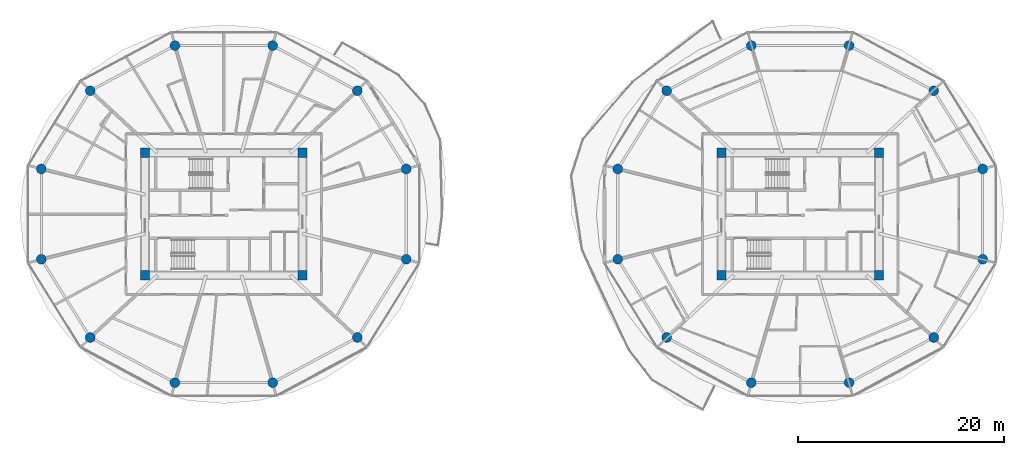
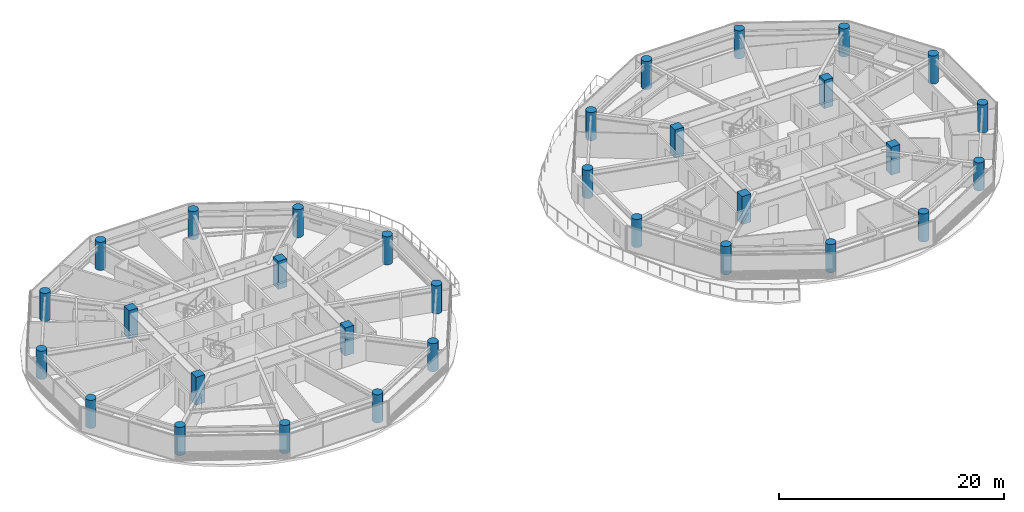
# One storey, part 1 of 26: 32 columns.
"""IFC4 building model written with IfcOpenShell, lengths in metres."""

from ifc_helpers import new_model, si_unit, direction, frame, origin, origin_2d, place, context, subcontext, project, spatial, rectangle, circle, extrude, source, transform, mapped, material, material_profile, profile_set, type_object, type_shapes, element, save


model = new_model("IFC4")

# Units and contexts
model_context = context("Model", 3, precision=1e-05, world=origin(), true_north=direction((0.0, 1.0)))
body_context = subcontext(model_context, "Body", "Model", "MODEL_VIEW")
ifc_project = project(units=[si_unit("LENGTHUNIT", "METRE"), si_unit("AREAUNIT", "SQUARE_METRE"), si_unit("VOLUMEUNIT", "CUBIC_METRE"), si_unit("PLANEANGLEUNIT", "RADIAN"), si_unit("MASSUNIT", "GRAM", prefix="KILO")], contexts=[model_context])

# Site, building, storey
site_placement = place(None, origin())
site = spatial("IfcSite", under=ifc_project, at=site_placement, CompositionType="ELEMENT")
building_placement = place(site_placement, origin())
building = spatial("IfcBuilding", under=site, at=building_placement, Name="Norrkilde Senior Care Towers", CompositionType="ELEMENT")
storey_placement = place(building_placement, frame((0.0, 0.0, 70.39990234375)))
storey = spatial("IfcBuildingStorey", under=building, at=storey_placement, Name="L21", CompositionType="ELEMENT", Elevation=70.39990234375)

# Columns
ifc_material = material(Name="Concrete C60/75", Category="concrete")
ifc_material_profile_1 = material_profile(ifc_material, rectangle(XDim=0.89990234375, YDim=0.89990234375, at=origin_2d()), Name="RC COL 900x900")
ifc_profile_set_1 = profile_set([ifc_material_profile_1], Name="Concrete C60/75")
column_type_1 = type_object("IfcColumnType", Name="Column Core Corner Z1-Z2 900", PredefinedType="COLUMN", material=ifc_profile_set_1)
shared_shape_1 = source(origin(), body_context, "Body", "SweptSolid", [
    extrude(rectangle(XDim=0.89990234375, YDim=0.89990234375, at=origin_2d()), origin(), (0.0, 0.0, 1.0), 3.050048828125),
])
type_shapes(column_type_1, [shared_shape_1])
for number, where, z_axis, x_axis, name in (
    (1, (-35.64990234375, -5.949951171875, 0.0), (0.0, 0.0, 1.0), (1.0, 0.0, 0.0), "L21 Core W Corner Column 1"),
    (2, (-20.35009765625, -5.949951171875, 0.0), (0.0, 0.0, 1.0), (1.0, 0.0, 0.0), "L21 Core W Corner Column 2"),
    (3, (-20.35009765625, 5.949951171875, 0.0), (0.0, 0.0, 1.0), (1.0, 0.0, 0.0), "L21 Core W Corner Column 3"),
    (4, (-35.64990234375, 5.949951171875, 0.0), (0.0, 0.0, 1.0), (1.0, 0.0, 0.0), "L21 Core W Corner Column 4"),
    (5, (20.35009765625, -5.949951171875, 0.0), (0.0, 0.0, 1.0), (1.0, 0.0, 0.0), "L21 Core E Corner Column 1"),
    (6, (35.64990234375, -5.949951171875, 0.0), (0.0, 0.0, 1.0), (1.0, 0.0, 0.0), "L21 Core E Corner Column 2"),
    (7, (35.64990234375, 5.949951171875, 0.0), (0.0, 0.0, 1.0), (1.0, 0.0, 0.0), "L21 Core E Corner Column 3"),
    (8, (20.35009765625, 5.949951171875, 0.0), (0.0, 0.0, 1.0), (1.0, 0.0, 0.0), "L21 Core E Corner Column 4"),
):
    element("IfcColumn", number, at=place(storey_placement, frame(where, z_axis=z_axis, x_axis=x_axis)), inside=storey, type_object=column_type_1, Name=name, PredefinedType="COLUMN", context=body_context, shape_type="MappedRepresentation", body=[
        mapped(shared_shape_1, transform((0.0, 0.0, 0.0), x_axis=(1.0, 0.0, 0.0), y_axis=(0.0, 1.0, 0.0), z_axis=(0.0, 0.0, 1.0), scale=1.0)),
    ])
ifc_material_profile_2 = material_profile(ifc_material, circle(Radius=0.47509765625, at=origin_2d()), Name="RC CIR 950")
ifc_profile_set_2 = profile_set([ifc_material_profile_2], Name="Concrete C60/75")
column_type_2 = type_object("IfcColumnType", Name="Column Perimeter Z1 950", PredefinedType="COLUMN", material=ifc_profile_set_2)
shared_shape_2 = source(origin(), body_context, "Body", "SweptSolid", [
    extrude(circle(Radius=0.47509765625, at=origin_2d()), origin(), (0.0, 0.0, 1.0), 3.050048828125),
])
type_shapes(column_type_2, [shared_shape_2])
for number, where, z_axis, x_axis, name in (
    (9, (-10.275146484375, 4.386962890625, 0.0), (0.0, 0.0, 1.0), (1.0, 0.0, 0.0), "L21 Drum W Perimeter Column 01"),
    (10, (-15.024658203125, 11.9853515625, 0.0), (0.0, 0.0, 1.0), (1.0, 0.0, 0.0), "L21 Drum W Perimeter Column 02"),
    (11, (-23.250732421875, 16.37255859375, 0.0), (0.0, 0.0, 1.0), (1.0, 0.0, 0.0), "L21 Drum W Perimeter Column 03"),
    (12, (-32.749267578125, 16.37255859375, 0.0), (0.0, 0.0, 1.0), (1.0, 0.0, 0.0), "L21 Drum W Perimeter Column 04"),
    (13, (-40.975341796875, 11.9853515625, 0.0), (0.0, 0.0, 1.0), (1.0, 0.0, 0.0), "L21 Drum W Perimeter Column 05"),
    (14, (-45.724853515625, 4.386962890625, 0.0), (0.0, 0.0, 1.0), (1.0, 0.0, 0.0), "L21 Drum W Perimeter Column 06"),
    (15, (-45.724853515625, -4.386962890625, 0.0), (0.0, 0.0, 1.0), (1.0, 0.0, 0.0), "L21 Drum W Perimeter Column 07"),
    (16, (-40.975341796875, -11.9853515625, 0.0), (0.0, 0.0, 1.0), (1.0, 0.0, 0.0), "L21 Drum W Perimeter Column 08"),
    (17, (-32.749267578125, -16.37255859375, 0.0), (0.0, 0.0, 1.0), (1.0, 0.0, 0.0), "L21 Drum W Perimeter Column 09"),
    (18, (-23.250732421875, -16.37255859375, 0.0), (0.0, 0.0, 1.0), (1.0, 0.0, 0.0), "L21 Drum W Perimeter Column 10"),
    (19, (-15.024658203125, -11.9853515625, 0.0), (0.0, 0.0, 1.0), (1.0, 0.0, 0.0), "L21 Drum W Perimeter Column 11"),
    (20, (-10.275146484375, -4.386962890625, 0.0), (0.0, 0.0, 1.0), (1.0, 0.0, 0.0), "L21 Drum W Perimeter Column 12"),
    (21, (45.724853515625, 4.386962890625, 0.0), (0.0, 0.0, 1.0), (1.0, 0.0, 0.0), "L21 Drum E Perimeter Column 01"),
    (22, (40.975341796875, 11.9853515625, 0.0), (0.0, 0.0, 1.0), (1.0, 0.0, 0.0), "L21 Drum E Perimeter Column 02"),
    (23, (32.749267578125, 16.37255859375, 0.0), (0.0, 0.0, 1.0), (1.0, 0.0, 0.0), "L21 Drum E Perimeter Column 03"),
    (24, (23.250732421875, 16.37255859375, 0.0), (0.0, 0.0, 1.0), (1.0, 0.0, 0.0), "L21 Drum E Perimeter Column 04"),
    (25, (15.024658203125, 11.9853515625, 0.0), (0.0, 0.0, 1.0), (1.0, 0.0, 0.0), "L21 Drum E Perimeter Column 05"),
    (26, (10.275146484375, 4.386962890625, 0.0), (0.0, 0.0, 1.0), (1.0, 0.0, 0.0), "L21 Drum E Perimeter Column 06"),
    (27, (10.275146484375, -4.386962890625, 0.0), (0.0, 0.0, 1.0), (1.0, 0.0, 0.0), "L21 Drum E Perimeter Column 07"),
    (28, (15.024658203125, -11.9853515625, 0.0), (0.0, 0.0, 1.0), (1.0, 0.0, 0.0), "L21 Drum E Perimeter Column 08"),
    (29, (23.250732421875, -16.37255859375, 0.0), (0.0, 0.0, 1.0), (1.0, 0.0, 0.0), "L21 Drum E Perimeter Column 09"),
    (30, (32.749267578125, -16.37255859375, 0.0), (0.0, 0.0, 1.0), (1.0, 0.0, 0.0), "L21 Drum E Perimeter Column 10"),
    (31, (40.975341796875, -11.9853515625, 0.0), (0.0, 0.0, 1.0), (1.0, 0.0, 0.0), "L21 Drum E Perimeter Column 11"),
    (32, (45.724853515625, -4.386962890625, 0.0), (0.0, 0.0, 1.0), (1.0, 0.0, 0.0), "L21 Drum E Perimeter Column 12"),
):
    element("IfcColumn", number, at=place(storey_placement, frame(where, z_axis=z_axis, x_axis=x_axis)), inside=storey, type_object=column_type_2, Name=name, PredefinedType="COLUMN", context=body_context, shape_type="MappedRepresentation", body=[
        mapped(shared_shape_2, transform((0.0, 0.0, 0.0), x_axis=(1.0, 0.0, 0.0), y_axis=(0.0, 1.0, 0.0), z_axis=(0.0, 0.0, 1.0), scale=1.0)),
    ])

save(model, "model.ifc")
